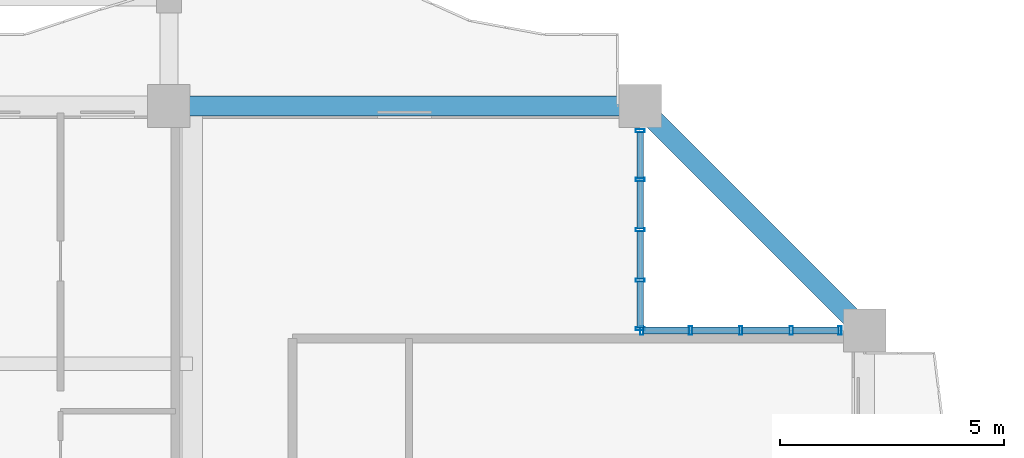
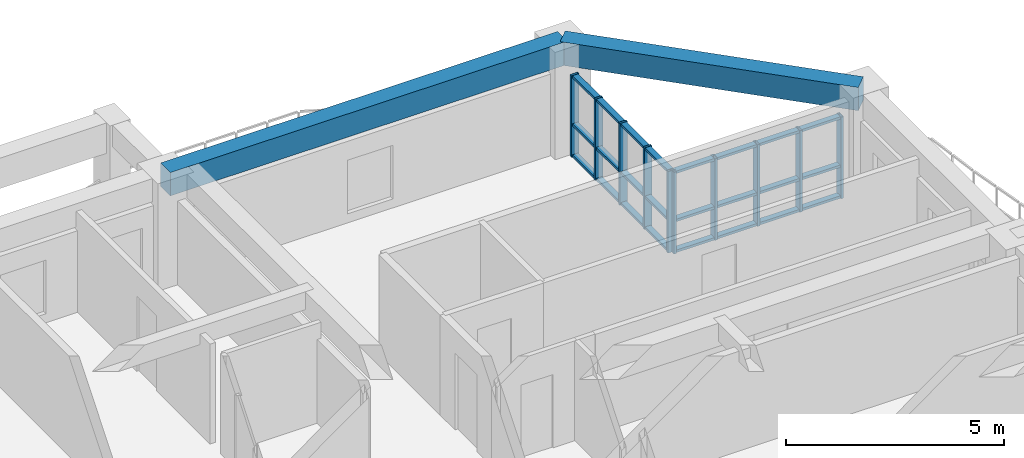
# One storey, part 9 of 23: 34 members, 2 beams, 2 elements without a shape of their own.
"""IFC4 building model written with IfcOpenShell, lengths in metres."""

from ifc_helpers import new_model, si_unit, direction, frame, origin, origin_2d, place, context, subcontext, project, spatial, rectangle, hollow_rectangle, extrude, source, transform, mapped, material, layer, layer_set, material_profile, profile_set, type_object, element, aggregate, save


model = new_model("IFC4")

# Units and contexts
model_context = context("Model", 3, precision=1e-05, world=origin(), true_north=direction((0.0, 1.0)))
body_context = subcontext(model_context, "Body", "Model", "MODEL_VIEW")
ifc_project = project(units=[si_unit("LENGTHUNIT", "METRE"), si_unit("AREAUNIT", "SQUARE_METRE"), si_unit("VOLUMEUNIT", "CUBIC_METRE"), si_unit("PLANEANGLEUNIT", "RADIAN"), si_unit("MASSUNIT", "GRAM", prefix="KILO")], contexts=[model_context])

# Site, building, storey
site_placement = place(None, origin())
site = spatial("IfcSite", under=ifc_project, at=site_placement, CompositionType="ELEMENT")
building_placement = place(site_placement, origin())
building = spatial("IfcBuilding", under=site, at=building_placement, Name="Saelheon Loggia Tower", CompositionType="ELEMENT")
storey_placement = place(building_placement, frame((0.0, 0.0, 156.10009765625)))
storey = spatial("IfcBuildingStorey", under=building, at=storey_placement, Name="L49", CompositionType="ELEMENT", Elevation=156.10009765625)

# Beams
ifc_material_1 = material(Name="Concrete C40/50", Category="concrete")
ifc_material_profile_1 = material_profile(ifc_material_1, rectangle(XDim=0.449951171875, YDim=0.64990234375, at=origin_2d()), Name="RC-450x650")
ifc_profile_set_1 = profile_set([ifc_material_profile_1], Name="Concrete C40/50")
beam_type = type_object("IfcBeamType", Name="Beam_PerimTower_RC450x650", PredefinedType="BEAM", material=ifc_profile_set_1)
shared_shape_1 = source(origin(), body_context, "Body", "SweptSolid", [
    extrude(rectangle(XDim=0.449951171875, YDim=0.64990234375, at=origin_2d()), origin(), (0.0, 0.0, 1.0), 10.5),
])
beam_1_placement = place(storey_placement, frame((55.0, 48.0, 2.6748046875), z_axis=(-1.0, 0.0, 0.0), x_axis=(0.0, -1.0, 0.0)))
element("IfcBeam", 1, at=beam_1_placement, inside=storey, type_object=beam_type, Name="L49 Perimeter Frame Girder 09", PredefinedType="BEAM", context=body_context, shape_type="MappedRepresentation", body=[
    mapped(shared_shape_1, transform((0.0, 0.0, 0.0), scale=1.0)),
])
shared_shape_2 = source(origin(), body_context, "Body", "SweptSolid", [
    extrude(rectangle(XDim=0.449951171875, YDim=0.64990234375, at=origin_2d()), origin(), (0.0, 0.0, 1.0), 7.071044921875),
])
beam_2_placement = place(storey_placement, frame((60.0, 43.0, 2.6748046875), z_axis=(-0.707106781187, 0.707106781187, 0.0), x_axis=(-0.707106781187, -0.707106781187, 0.0)))
element("IfcBeam", 2, at=beam_2_placement, inside=storey, type_object=beam_type, Name="L49 Perimeter Frame Girder 08", PredefinedType="BEAM", context=body_context, shape_type="MappedRepresentation", body=[
    mapped(shared_shape_2, transform((0.0, 0.0, 0.0), scale=1.0)),
])

# Curtain wall, members
ifc_material_2 = material(Name="High-Wind Aluminium and Triple Laminated Glass", Category="aluminium")
ifc_layer = layer(ifc_material_2, 0.179931640625)
ifc_layer_set = layer_set([ifc_layer], Name="High-Wind Aluminium and Triple Laminated Glass")
curtain_wall_type = type_object("IfcCurtainWallType", Name="CW_TowerLoggiaHigh", PredefinedType="NOTDEFINED", material=ifc_layer_set)
curtain_wall_1_placement = place(storey_placement, origin())
curtain_wall_1 = element("IfcCurtainWall", 3, at=curtain_wall_1_placement, inside=storey, type_object=curtain_wall_type, Name="L49 Corner Notch Glazing NE1", PredefinedType="NOTDEFINED")
ifc_material_3 = material(Name="Anodised Aluminium 6063-T6", Category="aluminium")
ifc_material_profile_2 = material_profile(ifc_material_3, hollow_rectangle(XDim=0.070068359375, YDim=0.199951171875, WallThickness=0.0048828125, at=origin_2d()), Name="RHS-200x70x5")
ifc_profile_set_2 = profile_set([ifc_material_profile_2], Name="Anodised Aluminium 6063-T6")
member_type_1 = type_object("IfcMemberType", Name="CW_TowerLoggiaHigh_Mullion", PredefinedType="MULLION", material=ifc_profile_set_2)
shared_shape_3 = source(origin(), body_context, "Body", "SweptSolid", [
    extrude(hollow_rectangle(XDim=0.070068359375, YDim=0.199951171875, WallThickness=0.0048828125, at=origin_2d()), origin(), (0.0, 0.0, 1.0), 2.27978515625),
])
member_1_placement = place(storey_placement, frame((55.0, 43.034912109375, 0.0), z_axis=(0.0, 0.0, 1.0), x_axis=(0.0, 1.0, 0.0)))
member_1 = element("IfcMember", 4, at=member_1_placement, type_object=member_type_1, Name="CW4 mullion 1", PredefinedType="MULLION", context=body_context, shape_type="MappedRepresentation", body=[
    mapped(shared_shape_3, transform((0.0, 0.0, 0.0), scale=1.0)),
])
member_2_placement = place(storey_placement, frame((55.0, 44.121337890625, 0.0), z_axis=(0.0, 0.0, 1.0), x_axis=(0.0, 1.0, 0.0)))
member_2 = element("IfcMember", 5, at=member_2_placement, type_object=member_type_1, Name="CW4 mullion 2", PredefinedType="MULLION", context=body_context, shape_type="MappedRepresentation", body=[
    mapped(shared_shape_3, transform((0.0, 0.0, 0.0), scale=1.0)),
])
member_3_placement = place(storey_placement, frame((55.0, 45.242431640625, 0.0), z_axis=(0.0, 0.0, 1.0), x_axis=(0.0, 1.0, 0.0)))
member_3 = element("IfcMember", 6, at=member_3_placement, type_object=member_type_1, Name="CW4 mullion 3", PredefinedType="MULLION", context=body_context, shape_type="MappedRepresentation", body=[
    mapped(shared_shape_3, transform((0.0, 0.0, 0.0), scale=1.0)),
])
member_4_placement = place(storey_placement, frame((55.0, 46.36376953125, 0.0), z_axis=(0.0, 0.0, 1.0), x_axis=(0.0, 1.0, 0.0)))
member_4 = element("IfcMember", 7, at=member_4_placement, type_object=member_type_1, Name="CW4 mullion 4", PredefinedType="MULLION", context=body_context, shape_type="MappedRepresentation", body=[
    mapped(shared_shape_3, transform((0.0, 0.0, 0.0), scale=1.0)),
])
member_5_placement = place(storey_placement, frame((55.0, 47.449951171875, 0.0), z_axis=(0.0, 0.0, 1.0), x_axis=(0.0, 1.0, 0.0)))
member_5 = element("IfcMember", 8, at=member_5_placement, type_object=member_type_1, Name="CW4 mullion 5", PredefinedType="MULLION", context=body_context, shape_type="MappedRepresentation", body=[
    mapped(shared_shape_3, transform((0.0, 0.0, 0.0), scale=1.0)),
])

curtain_wall_2_placement = place(storey_placement, origin())
curtain_wall_2 = element("IfcCurtainWall", 9, at=curtain_wall_2_placement, inside=storey, type_object=curtain_wall_type, Name="L49 Corner Notch Glazing NE2", PredefinedType="NOTDEFINED")
member_6_placement = place(storey_placement, frame((55.034912109375, 43.0, 0.0), z_axis=(0.0, 0.0, 1.0), x_axis=(1.0, 0.0, 0.0)))
member_6 = element("IfcMember", 10, at=member_6_placement, type_object=member_type_1, Name="CW4 mullion 1", PredefinedType="MULLION", context=body_context, shape_type="MappedRepresentation", body=[
    mapped(shared_shape_3, transform((0.0, 0.0, 0.0), scale=1.0)),
])
member_7_placement = place(storey_placement, frame((56.121337890625, 43.0, 0.0), z_axis=(0.0, 0.0, 1.0), x_axis=(1.0, 0.0, 0.0)))
member_7 = element("IfcMember", 11, at=member_7_placement, type_object=member_type_1, Name="CW4 mullion 2", PredefinedType="MULLION", context=body_context, shape_type="MappedRepresentation", body=[
    mapped(shared_shape_3, transform((0.0, 0.0, 0.0), scale=1.0)),
])
member_8_placement = place(storey_placement, frame((57.242431640625, 43.0, 0.0), z_axis=(0.0, 0.0, 1.0), x_axis=(1.0, 0.0, 0.0)))
member_8 = element("IfcMember", 12, at=member_8_placement, type_object=member_type_1, Name="CW4 mullion 3", PredefinedType="MULLION", context=body_context, shape_type="MappedRepresentation", body=[
    mapped(shared_shape_3, transform((0.0, 0.0, 0.0), scale=1.0)),
])
member_9_placement = place(storey_placement, frame((58.36376953125, 43.0, 0.0), z_axis=(0.0, 0.0, 1.0), x_axis=(1.0, 0.0, 0.0)))
member_9 = element("IfcMember", 13, at=member_9_placement, type_object=member_type_1, Name="CW4 mullion 4", PredefinedType="MULLION", context=body_context, shape_type="MappedRepresentation", body=[
    mapped(shared_shape_3, transform((0.0, 0.0, 0.0), scale=1.0)),
])
member_10_placement = place(storey_placement, frame((59.449951171875, 43.0, 0.0), z_axis=(0.0, 0.0, 1.0), x_axis=(1.0, 0.0, 0.0)))
member_10 = element("IfcMember", 14, at=member_10_placement, type_object=member_type_1, Name="CW4 mullion 5", PredefinedType="MULLION", context=body_context, shape_type="MappedRepresentation", body=[
    mapped(shared_shape_3, transform((0.0, 0.0, 0.0), scale=1.0)),
])

# Member
ifc_material_profile_3 = material_profile(ifc_material_3, hollow_rectangle(XDim=0.070068359375, YDim=0.14990234375, WallThickness=0.0048828125, at=origin_2d()), Name="RHS-150x70x5")
ifc_profile_set_3 = profile_set([ifc_material_profile_3], Name="Anodised Aluminium 6063-T6")
member_type_2 = type_object("IfcMemberType", Name="CW_TowerLoggiaHigh_Transom", PredefinedType="USERDEFINED", material=ifc_profile_set_3)
shared_shape_4 = source(origin(), body_context, "Body", "SweptSolid", [
    extrude(hollow_rectangle(XDim=0.070068359375, YDim=0.14990234375, WallThickness=0.0048828125, at=origin_2d()), origin(), (0.0, 0.0, 1.0), 1.016357421875),
])
member_11_placement = place(storey_placement, frame((55.0, 46.398681640625, 0.034912109375), z_axis=(0.0, 1.0, 0.0), x_axis=(0.0, 0.0, 1.0)))
member_11 = element("IfcMember", 15, at=member_11_placement, type_object=member_type_2, Name="CW4 transom 4.1", ObjectType="TRANSOM", PredefinedType="USERDEFINED", context=body_context, shape_type="MappedRepresentation", body=[
    mapped(shared_shape_4, transform((0.0, 0.0, 0.0), scale=1.0)),
])

member_12_placement = place(storey_placement, frame((55.0, 46.398681640625, 0.89990234375), z_axis=(0.0, 1.0, 0.0), x_axis=(0.0, 0.0, 1.0)))
member_12 = element("IfcMember", 16, at=member_12_placement, type_object=member_type_2, Name="CW4 transom 4.2", ObjectType="TRANSOM", PredefinedType="USERDEFINED", context=body_context, shape_type="MappedRepresentation", body=[
    mapped(shared_shape_4, transform((0.0, 0.0, 0.0), scale=1.0)),
])

member_13_placement = place(storey_placement, frame((55.0, 46.398681640625, 2.244873046875), z_axis=(0.0, 1.0, 0.0), x_axis=(0.0, 0.0, 1.0)))
member_13 = element("IfcMember", 17, at=member_13_placement, type_object=member_type_2, Name="CW4 transom 4.3", ObjectType="TRANSOM", PredefinedType="USERDEFINED", context=body_context, shape_type="MappedRepresentation", body=[
    mapped(shared_shape_4, transform((0.0, 0.0, 0.0), scale=1.0)),
])

member_14_placement = place(storey_placement, frame((58.398681640625, 43.0, 0.034912109375), z_axis=(1.0, 0.0, 0.0), x_axis=(0.0, 0.0, 1.0)))
member_14 = element("IfcMember", 18, at=member_14_placement, type_object=member_type_2, Name="CW4 transom 4.1", ObjectType="TRANSOM", PredefinedType="USERDEFINED", context=body_context, shape_type="MappedRepresentation", body=[
    mapped(shared_shape_4, transform((0.0, 0.0, 0.0), scale=1.0)),
])

member_15_placement = place(storey_placement, frame((58.398681640625, 43.0, 0.89990234375), z_axis=(1.0, 0.0, 0.0), x_axis=(0.0, 0.0, 1.0)))
member_15 = element("IfcMember", 19, at=member_15_placement, type_object=member_type_2, Name="CW4 transom 4.2", ObjectType="TRANSOM", PredefinedType="USERDEFINED", context=body_context, shape_type="MappedRepresentation", body=[
    mapped(shared_shape_4, transform((0.0, 0.0, 0.0), scale=1.0)),
])

member_16_placement = place(storey_placement, frame((58.398681640625, 43.0, 2.244873046875), z_axis=(1.0, 0.0, 0.0), x_axis=(0.0, 0.0, 1.0)))
member_16 = element("IfcMember", 20, at=member_16_placement, type_object=member_type_2, Name="CW4 transom 4.3", ObjectType="TRANSOM", PredefinedType="USERDEFINED", context=body_context, shape_type="MappedRepresentation", body=[
    mapped(shared_shape_4, transform((0.0, 0.0, 0.0), scale=1.0)),
])

shared_shape_5 = source(origin(), body_context, "Body", "SweptSolid", [
    extrude(hollow_rectangle(XDim=0.070068359375, YDim=0.14990234375, WallThickness=0.0048828125, at=origin_2d()), origin(), (0.0, 0.0, 1.0), 1.05126953125),
])
member_17_placement = place(storey_placement, frame((55.0, 44.15625, 0.034912109375), z_axis=(0.0, 1.0, 0.0), x_axis=(0.0, 0.0, 1.0)))
member_17 = element("IfcMember", 21, at=member_17_placement, type_object=member_type_2, Name="CW4 transom 2.1", ObjectType="TRANSOM", PredefinedType="USERDEFINED", context=body_context, shape_type="MappedRepresentation", body=[
    mapped(shared_shape_5, transform((0.0, 0.0, 0.0), scale=1.0)),
])

member_18_placement = place(storey_placement, frame((55.0, 44.15625, 0.89990234375), z_axis=(0.0, 1.0, 0.0), x_axis=(0.0, 0.0, 1.0)))
member_18 = element("IfcMember", 22, at=member_18_placement, type_object=member_type_2, Name="CW4 transom 2.2", ObjectType="TRANSOM", PredefinedType="USERDEFINED", context=body_context, shape_type="MappedRepresentation", body=[
    mapped(shared_shape_5, transform((0.0, 0.0, 0.0), scale=1.0)),
])

member_19_placement = place(storey_placement, frame((55.0, 44.15625, 2.244873046875), z_axis=(0.0, 1.0, 0.0), x_axis=(0.0, 0.0, 1.0)))
member_19 = element("IfcMember", 23, at=member_19_placement, type_object=member_type_2, Name="CW4 transom 2.3", ObjectType="TRANSOM", PredefinedType="USERDEFINED", context=body_context, shape_type="MappedRepresentation", body=[
    mapped(shared_shape_5, transform((0.0, 0.0, 0.0), scale=1.0)),
])

member_20_placement = place(storey_placement, frame((55.0, 45.277587890625, 0.034912109375), z_axis=(0.0, 1.0, 0.0), x_axis=(0.0, 0.0, 1.0)))
member_20 = element("IfcMember", 24, at=member_20_placement, type_object=member_type_2, Name="CW4 transom 3.1", ObjectType="TRANSOM", PredefinedType="USERDEFINED", context=body_context, shape_type="MappedRepresentation", body=[
    mapped(shared_shape_5, transform((0.0, 0.0, 0.0), scale=1.0)),
])

member_21_placement = place(storey_placement, frame((55.0, 45.277587890625, 0.89990234375), z_axis=(0.0, 1.0, 0.0), x_axis=(0.0, 0.0, 1.0)))
member_21 = element("IfcMember", 25, at=member_21_placement, type_object=member_type_2, Name="CW4 transom 3.2", ObjectType="TRANSOM", PredefinedType="USERDEFINED", context=body_context, shape_type="MappedRepresentation", body=[
    mapped(shared_shape_5, transform((0.0, 0.0, 0.0), scale=1.0)),
])

member_22_placement = place(storey_placement, frame((55.0, 45.277587890625, 2.244873046875), z_axis=(0.0, 1.0, 0.0), x_axis=(0.0, 0.0, 1.0)))
member_22 = element("IfcMember", 26, at=member_22_placement, type_object=member_type_2, Name="CW4 transom 3.3", ObjectType="TRANSOM", PredefinedType="USERDEFINED", context=body_context, shape_type="MappedRepresentation", body=[
    mapped(shared_shape_5, transform((0.0, 0.0, 0.0), scale=1.0)),
])

member_23_placement = place(storey_placement, frame((56.15625, 43.0, 0.034912109375), z_axis=(1.0, 0.0, 0.0), x_axis=(0.0, 0.0, 1.0)))
member_23 = element("IfcMember", 27, at=member_23_placement, type_object=member_type_2, Name="CW4 transom 2.1", ObjectType="TRANSOM", PredefinedType="USERDEFINED", context=body_context, shape_type="MappedRepresentation", body=[
    mapped(shared_shape_5, transform((0.0, 0.0, 0.0), scale=1.0)),
])

member_24_placement = place(storey_placement, frame((56.15625, 43.0, 0.89990234375), z_axis=(1.0, 0.0, 0.0), x_axis=(0.0, 0.0, 1.0)))
member_24 = element("IfcMember", 28, at=member_24_placement, type_object=member_type_2, Name="CW4 transom 2.2", ObjectType="TRANSOM", PredefinedType="USERDEFINED", context=body_context, shape_type="MappedRepresentation", body=[
    mapped(shared_shape_5, transform((0.0, 0.0, 0.0), scale=1.0)),
])

member_25_placement = place(storey_placement, frame((56.15625, 43.0, 2.244873046875), z_axis=(1.0, 0.0, 0.0), x_axis=(0.0, 0.0, 1.0)))
member_25 = element("IfcMember", 29, at=member_25_placement, type_object=member_type_2, Name="CW4 transom 2.3", ObjectType="TRANSOM", PredefinedType="USERDEFINED", context=body_context, shape_type="MappedRepresentation", body=[
    mapped(shared_shape_5, transform((0.0, 0.0, 0.0), scale=1.0)),
])

member_26_placement = place(storey_placement, frame((57.277587890625, 43.0, 0.034912109375), z_axis=(1.0, 0.0, 0.0), x_axis=(0.0, 0.0, 1.0)))
member_26 = element("IfcMember", 30, at=member_26_placement, type_object=member_type_2, Name="CW4 transom 3.1", ObjectType="TRANSOM", PredefinedType="USERDEFINED", context=body_context, shape_type="MappedRepresentation", body=[
    mapped(shared_shape_5, transform((0.0, 0.0, 0.0), scale=1.0)),
])

member_27_placement = place(storey_placement, frame((57.277587890625, 43.0, 0.89990234375), z_axis=(1.0, 0.0, 0.0), x_axis=(0.0, 0.0, 1.0)))
member_27 = element("IfcMember", 31, at=member_27_placement, type_object=member_type_2, Name="CW4 transom 3.2", ObjectType="TRANSOM", PredefinedType="USERDEFINED", context=body_context, shape_type="MappedRepresentation", body=[
    mapped(shared_shape_5, transform((0.0, 0.0, 0.0), scale=1.0)),
])

member_28_placement = place(storey_placement, frame((57.277587890625, 43.0, 2.244873046875), z_axis=(1.0, 0.0, 0.0), x_axis=(0.0, 0.0, 1.0)))
member_28 = element("IfcMember", 32, at=member_28_placement, type_object=member_type_2, Name="CW4 transom 3.3", ObjectType="TRANSOM", PredefinedType="USERDEFINED", context=body_context, shape_type="MappedRepresentation", body=[
    mapped(shared_shape_5, transform((0.0, 0.0, 0.0), scale=1.0)),
])

shared_shape_6 = source(origin(), body_context, "Body", "SweptSolid", [
    extrude(hollow_rectangle(XDim=0.070068359375, YDim=0.14990234375, WallThickness=0.0048828125, at=origin_2d()), origin(), (0.0, 0.0, 1.0), 1.01611328125),
])
member_29_placement = place(storey_placement, frame((55.0, 43.070068359375, 0.034912109375), z_axis=(0.0, 1.0, 0.0), x_axis=(0.0, 0.0, 1.0)))
member_29 = element("IfcMember", 33, at=member_29_placement, type_object=member_type_2, Name="CW4 transom 1.1", ObjectType="TRANSOM", PredefinedType="USERDEFINED", context=body_context, shape_type="MappedRepresentation", body=[
    mapped(shared_shape_6, transform((0.0, 0.0, 0.0), scale=1.0)),
])

member_30_placement = place(storey_placement, frame((55.0, 43.070068359375, 0.89990234375), z_axis=(0.0, 1.0, 0.0), x_axis=(0.0, 0.0, 1.0)))
member_30 = element("IfcMember", 34, at=member_30_placement, type_object=member_type_2, Name="CW4 transom 1.2", ObjectType="TRANSOM", PredefinedType="USERDEFINED", context=body_context, shape_type="MappedRepresentation", body=[
    mapped(shared_shape_6, transform((0.0, 0.0, 0.0), scale=1.0)),
])

member_31_placement = place(storey_placement, frame((55.0, 43.070068359375, 2.244873046875), z_axis=(0.0, 1.0, 0.0), x_axis=(0.0, 0.0, 1.0)))
member_31 = element("IfcMember", 35, at=member_31_placement, type_object=member_type_2, Name="CW4 transom 1.3", ObjectType="TRANSOM", PredefinedType="USERDEFINED", context=body_context, shape_type="MappedRepresentation", body=[
    mapped(shared_shape_6, transform((0.0, 0.0, 0.0), scale=1.0)),
])

aggregate(curtain_wall_1, [member_1, member_2, member_3, member_4, member_5, member_29, member_30, member_31, member_17, member_18, member_19, member_20, member_21, member_22, member_11, member_12, member_13])

member_32_placement = place(storey_placement, frame((55.070068359375, 43.0, 0.034912109375), z_axis=(1.0, 0.0, 0.0), x_axis=(0.0, 0.0, 1.0)))
member_32 = element("IfcMember", 36, at=member_32_placement, type_object=member_type_2, Name="CW4 transom 1.1", ObjectType="TRANSOM", PredefinedType="USERDEFINED", context=body_context, shape_type="MappedRepresentation", body=[
    mapped(shared_shape_6, transform((0.0, 0.0, 0.0), scale=1.0)),
])

member_33_placement = place(storey_placement, frame((55.070068359375, 43.0, 0.89990234375), z_axis=(1.0, 0.0, 0.0), x_axis=(0.0, 0.0, 1.0)))
member_33 = element("IfcMember", 37, at=member_33_placement, type_object=member_type_2, Name="CW4 transom 1.2", ObjectType="TRANSOM", PredefinedType="USERDEFINED", context=body_context, shape_type="MappedRepresentation", body=[
    mapped(shared_shape_6, transform((0.0, 0.0, 0.0), scale=1.0)),
])

member_34_placement = place(storey_placement, frame((55.070068359375, 43.0, 2.244873046875), z_axis=(1.0, 0.0, 0.0), x_axis=(0.0, 0.0, 1.0)))
member_34 = element("IfcMember", 38, at=member_34_placement, type_object=member_type_2, Name="CW4 transom 1.3", ObjectType="TRANSOM", PredefinedType="USERDEFINED", context=body_context, shape_type="MappedRepresentation", body=[
    mapped(shared_shape_6, transform((0.0, 0.0, 0.0), scale=1.0)),
])

aggregate(curtain_wall_2, [member_6, member_7, member_8, member_9, member_10, member_32, member_33, member_34, member_23, member_24, member_25, member_26, member_27, member_28, member_14, member_15, member_16])

save(model, "model.ifc")
